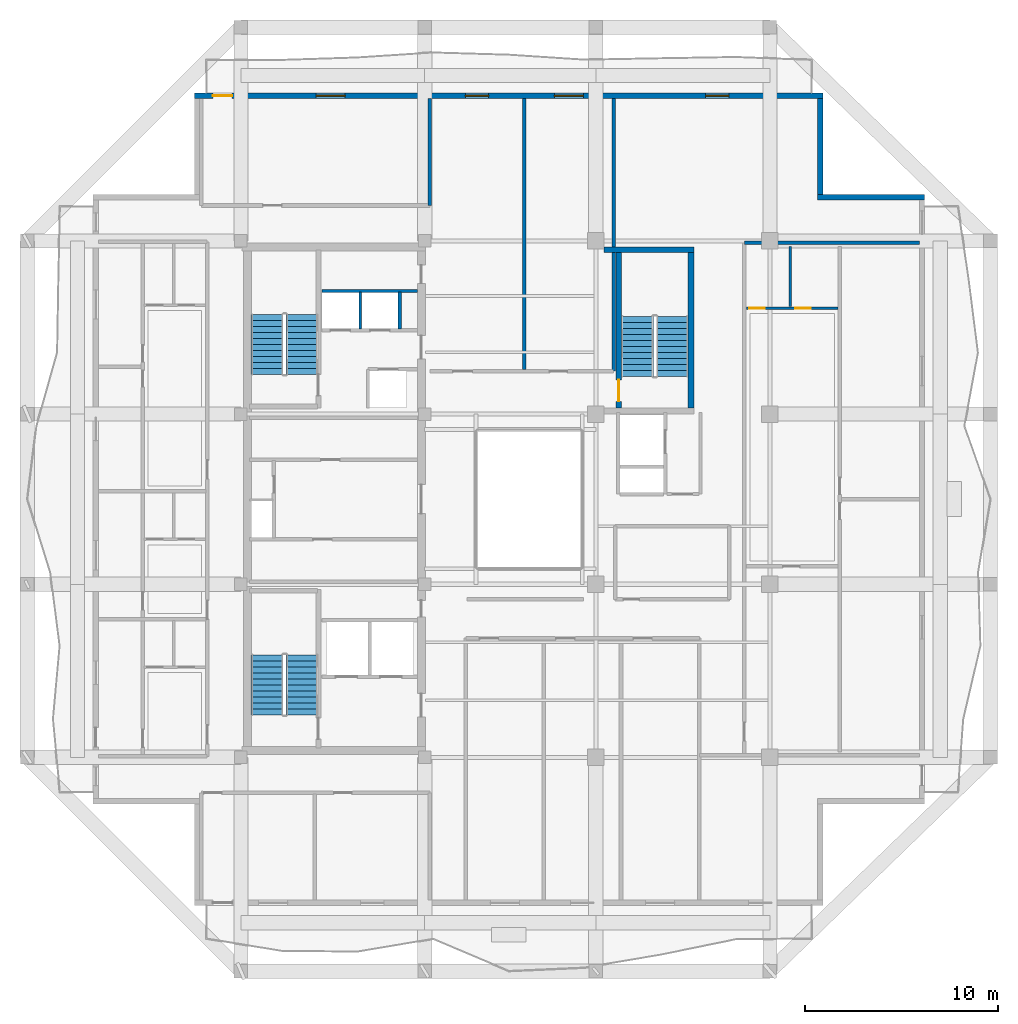
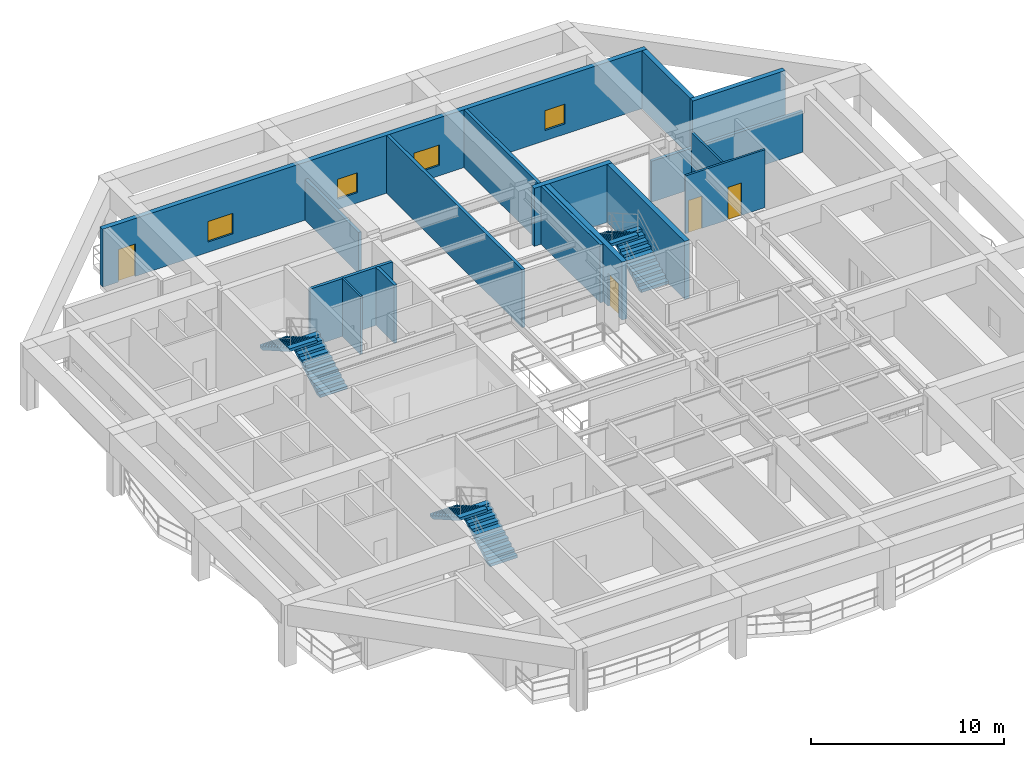
# One storey, part 6 of 11: 15 walls, 6 stair flights, 4 doors, 4 windows, 8 openings, 3 elements without a shape of their own.
"""IFC4 building model written with IfcOpenShell, lengths in metres."""

from ifc_helpers import new_model, si_unit, direction, frame, frame_2d, origin, place, context, subcontext, project, spatial, polyline, rectangle, outline, extrude, material, layer, layer_set, type_object, element, fill, aggregate, save


model = new_model("IFC4")

# Units and contexts
model_context = context("Model", 3, precision=1e-05, world=origin(), true_north=direction((0.0, 1.0)))
body_context = subcontext(model_context, "Body", "Model", "MODEL_VIEW")
ifc_project = project(units=[si_unit("LENGTHUNIT", "METRE"), si_unit("AREAUNIT", "SQUARE_METRE"), si_unit("VOLUMEUNIT", "CUBIC_METRE"), si_unit("PLANEANGLEUNIT", "RADIAN"), si_unit("MASSUNIT", "GRAM", prefix="KILO")], contexts=[model_context])

# Site, building, storey
site_placement = place(None, origin())
site = spatial("IfcSite", under=ifc_project, at=site_placement, CompositionType="ELEMENT")
building_placement = place(site_placement, origin())
building = spatial("IfcBuilding", under=site, at=building_placement, Name="Kundavana Baori Tower", CompositionType="ELEMENT")
storey_placement = place(building_placement, frame((0.0, 0.0, 268.699951171875)))
storey = spatial("IfcBuildingStorey", under=building, at=storey_placement, Name="L66", CompositionType="ELEMENT", Elevation=268.699951171875)

# Walls
ifc_material_1 = material(Name="Red-Buff Dholpur Sandstone Cladding on Concrete C40/50", Category="masonry")
ifc_layer_1 = layer(ifc_material_1, 0.280029296875, Name="WL-EXT-SAND-280")
ifc_layer_set_1 = layer_set([ifc_layer_1], Name="Red-Buff Dholpur Sandstone Cladding on Concrete C40/50")
wall_type_1 = type_object("IfcWallType", Name="WL-EXT-SAND-280", PredefinedType="STANDARD", material=ifc_layer_set_1)
wall_1_placement = place(storey_placement, frame((50.800048828125, 44.2099609375, 0.0), z_axis=(0.0, 0.0, 1.0), x_axis=(-1.0, 0.0, 0.0)))
element("IfcWall", 1, at=wall_1_placement, inside=storey, type_object=wall_type_1, Name="L66 Exterior Insulated Facade Wall 05", PredefinedType="STANDARD", context=body_context, shape_type="SweptSolid", body=[
    extrude(rectangle(XDim=5.530029296875, YDim=0.280029296875, at=frame_2d((2.76513671875, 0.0))), origin(), (0.0, 0.0, 1.0), 3.66015625),
])
wall_2_placement = place(storey_placement, frame((45.409912109375, 44.35009765625, 0.0), z_axis=(0.0, 0.0, 1.0), x_axis=(0.0, 1.0, 0.0)))
element("IfcWall", 2, at=wall_2_placement, inside=storey, type_object=wall_type_1, Name="L66 Exterior Insulated Facade Wall 06", PredefinedType="STANDARD", context=body_context, shape_type="SweptSolid", body=[
    extrude(rectangle(XDim=4.969970703125, YDim=0.280029296875, at=frame_2d((2.48486328125, 0.0))), origin(), (0.0, 0.0, 1.0), 3.66015625),
])

# Wall, openings, door, windows
wall_3_placement = place(storey_placement, frame((45.550048828125, 49.4599609375, 0.0), z_axis=(0.0, 0.0, 1.0), x_axis=(-1.0, 0.0, 0.0)))
wall_3 = element("IfcWall", 3, at=wall_3_placement, inside=storey, type_object=wall_type_1, Name="L66 Exterior Insulated Facade Wall 07", PredefinedType="STANDARD", context=body_context, shape_type="SweptSolid", body=[
    extrude(rectangle(XDim=32.5, YDim=0.280029296875, at=frame_2d((16.25, 0.0))), origin(), (0.0, 0.0, 1.0), 3.66015625),
])
opening_1_placement = place(wall_3_placement, frame((30.550048828125, 0.0, 0.0)))
opening_1 = element("IfcOpeningElement", 4, at=opening_1_placement, cuts=wall_3, Name="Opening BD-1", PredefinedType="OPENING", context=body_context, shape_type="SweptSolid", body=[
    extrude(rectangle(XDim=1.0, YDim=2.050048828125, at=frame_2d((0.5, 1.02490234375))), frame((0.0, 0.14990234375, 0.0), z_axis=(0.0, -1.0, 0.0), x_axis=(1.0, 0.0, 0.0)), (0.0, 0.0, 1.0), 0.300048828125),
])
opening_2_placement = place(wall_3_placement, frame((24.715087890625, 0.0, 0.64990234375)))
opening_2 = element("IfcOpeningElement", 5, at=opening_2_placement, cuts=wall_3, Name="Opening W-11", PredefinedType="OPENING", context=body_context, shape_type="SweptSolid", body=[
    extrude(rectangle(XDim=1.5, YDim=1.300048828125, at=frame_2d((0.75, 0.64990234375))), frame((0.0, 0.14990234375, 0.0), z_axis=(0.0, -1.0, 0.0), x_axis=(1.0, 0.0, 0.0)), (0.0, 0.0, 1.0), 0.300048828125),
])
opening_3_placement = place(wall_3_placement, frame((17.2900390625, 0.0, 0.64990234375)))
opening_3 = element("IfcOpeningElement", 6, at=opening_3_placement, cuts=wall_3, Name="Opening W-12", PredefinedType="OPENING", context=body_context, shape_type="SweptSolid", body=[
    extrude(rectangle(XDim=1.199951171875, YDim=1.25, at=frame_2d((0.60009765625, 0.625))), frame((0.0, 0.14990234375, 0.0), z_axis=(0.0, -1.0, 0.0), x_axis=(1.0, 0.0, 0.0)), (0.0, 0.0, 1.0), 0.300048828125),
])
opening_4_placement = place(wall_3_placement, frame((12.389892578125, 0.0, 0.64990234375)))
opening_4 = element("IfcOpeningElement", 7, at=opening_4_placement, cuts=wall_3, Name="Opening W-11", PredefinedType="OPENING", context=body_context, shape_type="SweptSolid", body=[
    extrude(rectangle(XDim=1.5, YDim=1.300048828125, at=frame_2d((0.75, 0.64990234375))), frame((0.0, 0.14990234375, 0.0), z_axis=(0.0, -1.0, 0.0), x_axis=(1.0, 0.0, 0.0)), (0.0, 0.0, 1.0), 0.300048828125),
])
opening_5_placement = place(wall_3_placement, frame((4.8701171875, 0.0, 0.64990234375)))
opening_5 = element("IfcOpeningElement", 8, at=opening_5_placement, cuts=wall_3, Name="Opening W-12", PredefinedType="OPENING", context=body_context, shape_type="SweptSolid", body=[
    extrude(rectangle(XDim=1.199951171875, YDim=1.25, at=frame_2d((0.60009765625, 0.625))), frame((0.0, 0.14990234375, 0.0), z_axis=(0.0, -1.0, 0.0), x_axis=(1.0, 0.0, 0.0)), (0.0, 0.0, 1.0), 0.300048828125),
])
ifc_material_2 = material(Name="Architectural Patinated Bronze Metalwork")
door_type_1 = type_object("IfcDoorType", Name="DR-EXT-LOG-1000", OperationType="NOTDEFINED", PredefinedType="DOOR", material=ifc_material_2)
door_1_placement = place(opening_1_placement, frame((1.0, 0.0, 0.0), z_axis=(0.0, 0.0, 1.0), x_axis=(-1.0, 0.0, 0.0)))
door_1 = element("IfcDoor", 9, at=door_1_placement, inside=storey, type_object=door_type_1, Name="L66 Loggia Balcony Access Door N", OperationType="SINGLE_SWING_LEFT", OverallHeight=2.050048828125, OverallWidth=1.0, PredefinedType="DOOR", context=body_context, shape_type="SweptSolid", body=[
    extrude(rectangle(XDim=1.0, YDim=2.050048828125, at=frame_2d((0.5, 1.02490234375))), frame((0.0, 0.02490234375, 0.0), z_axis=(0.0, -1.0, 0.0), x_axis=(1.0, 0.0, 0.0)), (0.0, 0.0, 1.0), 0.050048828125),
])
fill(opening_1, door_1)
ifc_material_3 = material(Name="Double-Glazed Solar-Control Low-E Insulated Glass", Category="glass")
window_type_1 = type_object("IfcWindowType", Name="WIN-TRN-1200x1250", PartitioningType="SINGLE_PANEL", PredefinedType="WINDOW", material=ifc_material_3)
window_1_placement = place(opening_3_placement, origin())
window_1 = element("IfcWindow", 10, at=window_1_placement, inside=storey, type_object=window_type_1, Name="L66 Recessed Loggia Window N-2", OverallHeight=1.25, OverallWidth=1.199951171875, PartitioningType="SINGLE_PANEL", PredefinedType="WINDOW", context=body_context, shape_type="SweptSolid", body=[
    extrude(rectangle(XDim=1.199951171875, YDim=1.25, at=frame_2d((0.60009765625, 0.625))), frame((0.0, 0.030029296875, 0.0), z_axis=(0.0, -1.0, 0.0), x_axis=(1.0, 0.0, 0.0)), (0.0, 0.0, 1.0), 0.06005859375),
])
fill(opening_3, window_1)
window_2_placement = place(opening_5_placement, origin())
window_2 = element("IfcWindow", 11, at=window_2_placement, inside=storey, type_object=window_type_1, Name="L66 Recessed Loggia Window N-4", OverallHeight=1.25, OverallWidth=1.199951171875, PartitioningType="SINGLE_PANEL", PredefinedType="WINDOW", context=body_context, shape_type="SweptSolid", body=[
    extrude(rectangle(XDim=1.199951171875, YDim=1.25, at=frame_2d((0.60009765625, 0.625))), frame((0.0, 0.030029296875, 0.0), z_axis=(0.0, -1.0, 0.0), x_axis=(1.0, 0.0, 0.0)), (0.0, 0.0, 1.0), 0.06005859375),
])
fill(opening_5, window_2)
ifc_material_4 = material(Name="Double-Glazed Solar-Control Low-E Insulated Glass", Category="glass")
window_type_2 = type_object("IfcWindowType", Name="WIN-TRN-1500x1300", PartitioningType="SINGLE_PANEL", PredefinedType="WINDOW", material=ifc_material_4)
window_3_placement = place(opening_2_placement, origin())
window_3 = element("IfcWindow", 12, at=window_3_placement, inside=storey, type_object=window_type_2, Name="L66 Recessed Loggia Window N-1", OverallHeight=1.300048828125, OverallWidth=1.5, PartitioningType="SINGLE_PANEL", PredefinedType="WINDOW", context=body_context, shape_type="SweptSolid", body=[
    extrude(rectangle(XDim=1.5, YDim=1.300048828125, at=frame_2d((0.75, 0.64990234375))), frame((0.0, 0.030029296875, 0.0), z_axis=(0.0, -1.0, 0.0), x_axis=(1.0, 0.0, 0.0)), (0.0, 0.0, 1.0), 0.06005859375),
])
fill(opening_2, window_3)
window_4_placement = place(opening_4_placement, origin())
window_4 = element("IfcWindow", 13, at=window_4_placement, inside=storey, type_object=window_type_2, Name="L66 Recessed Loggia Window N-3", OverallHeight=1.300048828125, OverallWidth=1.5, PartitioningType="SINGLE_PANEL", PredefinedType="WINDOW", context=body_context, shape_type="SweptSolid", body=[
    extrude(rectangle(XDim=1.5, YDim=1.300048828125, at=frame_2d((0.75, 0.64990234375))), frame((0.0, 0.030029296875, 0.0), z_axis=(0.0, -1.0, 0.0), x_axis=(1.0, 0.0, 0.0)), (0.0, 0.0, 1.0), 0.06005859375),
])
fill(opening_4, window_4)

# Walls
ifc_material_5 = material(Name="Acoustic Gypsum Plasterboard on Galvanised Steel Studs", Category="steel")
ifc_layer_2 = layer(ifc_material_5, 0.1201171875, Name="WL-PART-120")
ifc_layer_set_2 = layer_set([ifc_layer_2], Name="Acoustic Gypsum Plasterboard on Galvanised Steel Studs")
wall_type_2 = type_object("IfcWallType", Name="WL-PART-120", PredefinedType="PARTITIONING", material=ifc_layer_set_2)
wall_4_placement = place(storey_placement, frame((21.6201171875, 37.39990234375, 0.0), z_axis=(0.0, 0.0, 1.0), x_axis=(0.0, 1.0, 0.0)))
element("IfcWall", 14, at=wall_4_placement, inside=storey, type_object=wall_type_2, Name="WL-L66-HR-DIV1", PredefinedType="PARTITIONING", context=body_context, shape_type="SweptSolid", body=[
    extrude(rectangle(XDim=1.900146484375, YDim=0.1201171875, at=frame_2d((0.9501953125, 0.0))), origin(), (0.0, 0.0, 1.0), 3.66015625),
])
ifc_material_6 = material(Name="Autoclaved Aerated Concrete Blockwork Masonry", Category="masonry")
ifc_layer_3 = layer(ifc_material_6, 0.18505859375, Name="WL-PART-180")
ifc_layer_set_3 = layer_set([ifc_layer_3], Name="Autoclaved Aerated Concrete Blockwork Masonry")
wall_type_3 = type_object("IfcWallType", Name="WL-PART-180", PredefinedType="SOLIDWALL", material=ifc_layer_set_3)
wall_5_placement = place(storey_placement, frame((25.219970703125, 43.780029296875, 0.0), z_axis=(0.0, 0.0, 1.0), x_axis=(0.0, 1.0, 0.0)))
element("IfcWall", 15, at=wall_5_placement, inside=storey, type_object=wall_type_3, Name="WL-L66-RNCE", PredefinedType="SOLIDWALL", context=body_context, shape_type="SweptSolid", body=[
    extrude(rectangle(XDim=5.5400390625, YDim=0.18505859375, at=frame_2d((2.77001953125, 0.0))), origin(), (0.0, 0.0, 1.0), 2.580078125),
])
wall_6_placement = place(storey_placement, frame((34.719970703125, 35.219970703125, 0.0), z_axis=(0.0, 0.0, 1.0), x_axis=(0.0, 1.0, 0.0)))
element("IfcWall", 16, at=wall_6_placement, inside=storey, type_object=wall_type_3, Name="WL-L66-RNEND", PredefinedType="SOLIDWALL", context=body_context, shape_type="SweptSolid", body=[
    extrude(rectangle(XDim=14.10009765625, YDim=0.18505859375, at=frame_2d((7.050048828125, 0.0))), origin(), (0.0, 0.0, 1.0), 3.66015625),
])
wall_7_placement = place(storey_placement, frame((30.10009765625, 35.300048828125, 0.0), z_axis=(0.0, 0.0, 1.0), x_axis=(0.0, 1.0, 0.0)))
element("IfcWall", 17, at=wall_7_placement, inside=storey, type_object=wall_type_3, Name="WL-L66-RND1", PredefinedType="SOLIDWALL", context=body_context, shape_type="SweptSolid", body=[
    extrude(rectangle(XDim=14.02001953125, YDim=0.18505859375, at=frame_2d((7.010009765625, 0.0))), origin(), (0.0, 0.0, 1.0), 3.66015625),
])
wall_8_placement = place(storey_placement, frame((41.47998046875, 41.85009765625, 0.0), z_axis=(0.0, 0.0, 1.0), x_axis=(1.0, 0.0, 0.0)))
element("IfcWall", 18, at=wall_8_placement, inside=storey, type_object=wall_type_3, Name="WL-L66-REN", PredefinedType="SOLIDWALL", context=body_context, shape_type="SweptSolid", body=[
    extrude(rectangle(XDim=9.0400390625, YDim=0.18505859375, at=frame_2d((4.52001953125, 0.0))), origin(), (0.0, 0.0, 1.0), 2.580078125),
])
ifc_material_7 = material(Name="Autoclaved Aerated Concrete Blockwork Masonry", Category="masonry")
ifc_layer_4 = layer(ifc_material_7, 0.179931640625, Name="WL-SHAFT-180")
ifc_layer_set_4 = layer_set([ifc_layer_4], Name="Autoclaved Aerated Concrete Blockwork Masonry")
wall_type_4 = type_object("IfcWallType", Name="WL-SHAFT-180", PredefinedType="SOLIDWALL", material=ifc_layer_set_4)
wall_9_placement = place(storey_placement, frame((19.639892578125, 39.360107421875, 0.0), z_axis=(0.0, 0.0, 1.0), x_axis=(1.0, 0.0, 0.0)))
element("IfcWall", 19, at=wall_9_placement, inside=storey, type_object=wall_type_4, Name="WL-L66-HRLOB-TOP", PredefinedType="SOLIDWALL", context=body_context, shape_type="SweptSolid", body=[
    extrude(rectangle(XDim=4.940185546875, YDim=0.179931640625, at=frame_2d((2.47021484375, 0.0))), origin(), (0.0, 0.0, 1.0), 3.66015625),
])
wall_10_placement = place(storey_placement, frame((23.659912109375, 37.39990234375, 0.0), z_axis=(0.0, 0.0, 1.0), x_axis=(0.0, 1.0, 0.0)))
element("IfcWall", 20, at=wall_10_placement, inside=storey, type_object=wall_type_4, Name="WL-L66-HR-DIV2", PredefinedType="SOLIDWALL", context=body_context, shape_type="SweptSolid", body=[
    extrude(rectangle(XDim=1.900146484375, YDim=0.179931640625, at=frame_2d((0.9501953125, 0.0))), origin(), (0.0, 0.0, 1.0), 3.66015625),
])
ifc_material_8 = material(Name="Concrete C50/60", Category="concrete")
ifc_layer_5 = layer(ifc_material_8, 0.300048828125, Name="WL-ST3-300")
ifc_layer_set_5 = layer_set([ifc_layer_5], Name="Concrete C50/60")
wall_type_5 = type_object("IfcWallType", Name="WL-ST3-300", PredefinedType="SHEAR", material=ifc_layer_set_5)
wall_11_placement = place(storey_placement, frame((34.22509765625, 41.489990234375, 0.0), z_axis=(0.0, 0.0, 1.0), x_axis=(1.0, 0.0, 0.0)))
element("IfcWall", 21, at=wall_11_placement, inside=storey, type_object=wall_type_5, Name="L66 Stair ST3 North Shear Wall", PredefinedType="SHEAR", context=body_context, shape_type="SweptSolid", body=[
    extrude(rectangle(XDim=4.64501953125, YDim=0.300048828125, at=frame_2d((2.322509765625, 0.0))), origin(), (0.0, 0.0, 1.0), 3.66015625),
])

# Wall, opening, door
wall_12_placement = place(storey_placement, frame((34.97998046875, 33.31005859375, 0.0), z_axis=(0.0, 0.0, 1.0), x_axis=(0.0, 1.0, 0.0)))
wall_12 = element("IfcWall", 22, at=wall_12_placement, inside=storey, type_object=wall_type_5, Name="L66 Stair ST3 West Shear Wall", PredefinedType="SHEAR", context=body_context, shape_type="SweptSolid", body=[
    extrude(rectangle(XDim=8.030029296875, YDim=0.300048828125, at=frame_2d((4.01513671875, 0.0))), origin(), (0.0, 0.0, 1.0), 3.66015625),
])
opening_6_placement = place(wall_12_placement, frame((0.35009765625, 0.0, 0.0)))
opening_6 = element("IfcOpeningElement", 23, at=opening_6_placement, cuts=wall_12, Name="Opening FD-110", PredefinedType="OPENING", context=body_context, shape_type="SweptSolid", body=[
    extrude(rectangle(XDim=1.10009765625, YDim=2.10009765625, at=frame_2d((0.550048828125, 1.050048828125))), frame((0.0, 0.16015625, 0.0), z_axis=(0.0, -1.0, 0.0), x_axis=(1.0, 0.0, 0.0)), (0.0, 0.0, 1.0), 0.320068359375),
])
ifc_material_9 = material(Name="Galvanised Steel Fire-Rated Door Leaf", Category="steel")
door_type_2 = type_object("IfcDoorType", Name="DR-FD120-1100", OperationType="NOTDEFINED", PredefinedType="DOOR", material=ifc_material_9)
door_2_placement = place(opening_6_placement, origin())
door_2 = element("IfcDoor", 24, at=door_2_placement, inside=storey, type_object=door_type_2, Name="DR-L66-ST3-W", OperationType="SINGLE_SWING_LEFT", OverallHeight=2.10009765625, OverallWidth=1.10009765625, PredefinedType="DOOR", context=body_context, shape_type="SweptSolid", body=[
    extrude(rectangle(XDim=1.10009765625, YDim=2.10009765625, at=frame_2d((0.550048828125, 1.050048828125))), frame((0.0, 0.02490234375, 0.0), z_axis=(0.0, -1.0, 0.0), x_axis=(1.0, 0.0, 0.0)), (0.0, 0.0, 1.0), 0.050048828125),
])
fill(opening_6, door_2)

# Wall
wall_13_placement = place(storey_placement, frame((38.719970703125, 33.31005859375, 0.0), z_axis=(0.0, 0.0, 1.0), x_axis=(0.0, 1.0, 0.0)))
element("IfcWall", 25, at=wall_13_placement, inside=storey, type_object=wall_type_5, Name="L66 Stair ST3 East Shear Wall", PredefinedType="SHEAR", context=body_context, shape_type="SweptSolid", body=[
    extrude(rectangle(XDim=8.030029296875, YDim=0.300048828125, at=frame_2d((4.01513671875, 0.0))), origin(), (0.0, 0.0, 1.0), 3.66015625),
])

# Wall, openings, doors
ifc_material_10 = material(Name="Autoclaved Aerated Concrete Blockwork Masonry", Category="masonry")
ifc_layer_6 = layer(ifc_material_10, 0.125, Name="WL-WET-120")
ifc_layer_set_6 = layer_set([ifc_layer_6], Name="Autoclaved Aerated Concrete Blockwork Masonry")
wall_type_6 = type_object("IfcWallType", Name="WL-WET-120", PredefinedType="PLUMBINGWALL", material=ifc_layer_set_6)
wall_14_placement = place(storey_placement, frame((41.580078125, 38.469970703125, 0.0), z_axis=(0.0, 0.0, 1.0), x_axis=(1.0, 0.0, 0.0)))
wall_14 = element("IfcWall", 26, at=wall_14_placement, inside=storey, type_object=wall_type_6, Name="WL-L66-E1-KH", PredefinedType="PLUMBINGWALL", context=body_context, shape_type="SweptSolid", body=[
    extrude(rectangle(XDim=4.747802734375, YDim=0.125, at=frame_2d((2.3740234375, 0.0))), origin(), (0.0, 0.0, 1.0), 3.66015625),
])
opening_7_placement = place(wall_14_placement, frame((0.159912109375, 0.0, 0.0)))
opening_7 = element("IfcOpeningElement", 27, at=opening_7_placement, cuts=wall_14, Name="Opening WD-080", PredefinedType="OPENING", context=body_context, shape_type="SweptSolid", body=[
    extrude(rectangle(XDim=0.800048828125, YDim=2.050048828125, at=frame_2d((0.39990234375, 1.02490234375))), frame((0.0, 0.072509765625, 0.0), z_axis=(0.0, -1.0, 0.0), x_axis=(1.0, 0.0, 0.0)), (0.0, 0.0, 1.0), 0.14501953125),
])
opening_8_placement = place(wall_14_placement, frame((2.5390625, 0.0, 0.0)))
opening_8 = element("IfcOpeningElement", 28, at=opening_8_placement, cuts=wall_14, Name="Opening WD-080", PredefinedType="OPENING", context=body_context, shape_type="SweptSolid", body=[
    extrude(rectangle(XDim=0.800048828125, YDim=2.050048828125, at=frame_2d((0.39990234375, 1.02490234375))), frame((0.0, 0.072509765625, 0.0), z_axis=(0.0, -1.0, 0.0), x_axis=(1.0, 0.0, 0.0)), (0.0, 0.0, 1.0), 0.14501953125),
])
ifc_material_11 = material(Name="Engineered Teak Solid-Core Timber Veneer", Category="wood")
door_type_3 = type_object("IfcDoorType", Name="DR-WET-800", OperationType="NOTDEFINED", PredefinedType="DOOR", material=ifc_material_11)
door_3_placement = place(opening_7_placement, origin())
door_3 = element("IfcDoor", 29, at=door_3_placement, inside=storey, type_object=door_type_3, Name="DR-L66-E1-BT", OperationType="SINGLE_SWING_LEFT", OverallHeight=2.050048828125, OverallWidth=0.800048828125, PredefinedType="DOOR", context=body_context, shape_type="SweptSolid", body=[
    extrude(rectangle(XDim=0.800048828125, YDim=2.050048828125, at=frame_2d((0.39990234375, 1.02490234375))), frame((0.0, 0.02490234375, 0.0), z_axis=(0.0, -1.0, 0.0), x_axis=(1.0, 0.0, 0.0)), (0.0, 0.0, 1.0), 0.050048828125),
])
fill(opening_7, door_3)
door_4_placement = place(opening_8_placement, origin())
door_4 = element("IfcDoor", 30, at=door_4_placement, inside=storey, type_object=door_type_3, Name="DR-L66-E1-KT", OperationType="SINGLE_SWING_RIGHT", OverallHeight=2.050048828125, OverallWidth=0.800048828125, PredefinedType="DOOR", context=body_context, shape_type="SweptSolid", body=[
    extrude(rectangle(XDim=0.800048828125, YDim=2.050048828125, at=frame_2d((0.39990234375, 1.02490234375))), frame((0.0, 0.02490234375, 0.0), z_axis=(0.0, -1.0, 0.0), x_axis=(1.0, 0.0, 0.0)), (0.0, 0.0, 1.0), 0.050048828125),
])
fill(opening_8, door_4)

# Wall
wall_15_placement = place(storey_placement, frame((43.85888671875, 38.550048828125, 0.0), z_axis=(0.0, 0.0, 1.0), x_axis=(0.0, 1.0, 0.0)))
element("IfcWall", 31, at=wall_15_placement, inside=storey, type_object=wall_type_6, Name="WL-L66-E1-BV", PredefinedType="PLUMBINGWALL", context=body_context, shape_type="SweptSolid", body=[
    extrude(rectangle(XDim=3.119873046875, YDim=0.125, at=frame_2d((1.56005859375, 0.0))), origin(), (0.0, 0.0, 1.0), 3.66015625),
])

# Stair, stair flights
ifc_material_12 = material(Name="Concrete C40/50", Category="concrete")
stair_type = type_object("IfcStairType", Name="STR-DOG-1650", PredefinedType="HALF_TURN_STAIR", material=ifc_material_12)
stair_1_placement = place(storey_placement, origin())
stair_1 = element("IfcStair", 32, at=stair_1_placement, inside=storey, type_object=stair_type, Name="L66 Protected Exit Stair ST1", PredefinedType="HALF_TURN_STAIR")
ifc_material_13 = material(Name="Concrete C40/50", Category="concrete")
stair_flight_type = type_object("IfcStairFlightType", Name="SFL-RC-1650", PredefinedType="STRAIGHT", material=ifc_material_13)
stair_flight_1_placement = place(storey_placement, frame((18.614990234375, 17.449951171875, 0.0), z_axis=(0.0, 0.0, 1.0), x_axis=(0.0, 1.0, 0.0)))
stair_flight_1 = element("IfcStairFlight", 33, at=stair_flight_1_placement, type_object=stair_flight_type, Name="ST1 flight 1", NumberOfRisers=11, NumberOfTreads=10, PredefinedType="STRAIGHT", RiserHeight=0.177272727, TreadLength=0.31, context=body_context, shape_type="SweptSolid", body=[
    extrude(outline(polyline([(0.0, 0.0), (0.0, 0.17724609375), (0.31005859375, 0.17724609375), (0.31005859375, 0.3544921875), (0.6201171875, 0.3544921875), (0.6201171875, 0.53173828125), (0.929931640625, 0.53173828125), (0.929931640625, 0.708984375), (1.239990234375, 0.708984375), (1.239990234375, 0.886474609375), (1.550048828125, 0.886474609375), (1.550048828125, 1.063720703125), (1.860107421875, 1.063720703125), (1.860107421875, 1.240966796875), (2.169921875, 1.240966796875), (2.169921875, 1.418212890625), (2.47998046875, 1.418212890625), (2.47998046875, 1.595458984375), (2.7900390625, 1.595458984375), (2.7900390625, 1.772705078125), (3.10009765625, 1.772705078125), (3.10009765625, 1.949951171875), (3.10009765625, 1.60009765625), (0.302001953125, 0.0), (0.0, 0.0)])), frame((0.0, 0.824951171875, 0.0), z_axis=(0.0, -1.0, 0.0), x_axis=(1.0, 0.0, 0.0)), (0.0, 0.0, 1.0), 1.64990234375),
])
stair_flight_2_placement = place(storey_placement, frame((16.804931640625, 20.550048828125, 1.949951171875), z_axis=(0.0, 0.0, 1.0), x_axis=(0.0, -1.0, 0.0)))
stair_flight_2 = element("IfcStairFlight", 34, at=stair_flight_2_placement, type_object=stair_flight_type, Name="ST1 flight 2", NumberOfRisers=11, NumberOfTreads=10, PredefinedType="STRAIGHT", RiserHeight=0.177272727, TreadLength=0.31, context=body_context, shape_type="SweptSolid", body=[
    extrude(outline(polyline([(0.0, 0.0), (0.0, 0.17724609375), (0.31005859375, 0.17724609375), (0.31005859375, 0.3544921875), (0.6201171875, 0.3544921875), (0.6201171875, 0.53173828125), (0.929931640625, 0.53173828125), (0.929931640625, 0.708984375), (1.239990234375, 0.708984375), (1.239990234375, 0.886474609375), (1.550048828125, 0.886474609375), (1.550048828125, 1.063720703125), (1.860107421875, 1.063720703125), (1.860107421875, 1.240966796875), (2.169921875, 1.240966796875), (2.169921875, 1.418212890625), (2.47998046875, 1.418212890625), (2.47998046875, 1.595458984375), (2.7900390625, 1.595458984375), (2.7900390625, 1.772705078125), (3.10009765625, 1.772705078125), (3.10009765625, 1.949951171875), (3.10009765625, 1.60009765625), (0.302001953125, 0.0), (0.0, 0.0)])), frame((0.0, 0.824951171875, 0.0), z_axis=(0.0, -1.0, 0.0), x_axis=(1.0, 0.0, 0.0)), (0.0, 0.0, 1.0), 1.64990234375),
])
aggregate(stair_1, [stair_flight_1, stair_flight_2])

stair_2_placement = place(storey_placement, origin())
stair_2 = element("IfcStair", 35, at=stair_2_placement, inside=storey, type_object=stair_type, Name="L66 Protected Exit Stair ST2", PredefinedType="HALF_TURN_STAIR")
stair_flight_3_placement = place(storey_placement, frame((18.614990234375, 35.050048828125, 0.0), z_axis=(0.0, 0.0, 1.0), x_axis=(0.0, 1.0, 0.0)))
stair_flight_3 = element("IfcStairFlight", 36, at=stair_flight_3_placement, type_object=stair_flight_type, Name="ST2 flight 1", NumberOfRisers=11, NumberOfTreads=10, PredefinedType="STRAIGHT", RiserHeight=0.177272727, TreadLength=0.31, context=body_context, shape_type="SweptSolid", body=[
    extrude(outline(polyline([(0.0, 0.0), (0.0, 0.17724609375), (0.31005859375, 0.17724609375), (0.31005859375, 0.3544921875), (0.6201171875, 0.3544921875), (0.6201171875, 0.53173828125), (0.929931640625, 0.53173828125), (0.929931640625, 0.708984375), (1.239990234375, 0.708984375), (1.239990234375, 0.886474609375), (1.550048828125, 0.886474609375), (1.550048828125, 1.063720703125), (1.860107421875, 1.063720703125), (1.860107421875, 1.240966796875), (2.169921875, 1.240966796875), (2.169921875, 1.418212890625), (2.47998046875, 1.418212890625), (2.47998046875, 1.595458984375), (2.7900390625, 1.595458984375), (2.7900390625, 1.772705078125), (3.10009765625, 1.772705078125), (3.10009765625, 1.949951171875), (3.10009765625, 1.60009765625), (0.302001953125, 0.0), (0.0, 0.0)])), frame((0.0, 0.824951171875, 0.0), z_axis=(0.0, -1.0, 0.0), x_axis=(1.0, 0.0, 0.0)), (0.0, 0.0, 1.0), 1.64990234375),
])
stair_flight_4_placement = place(storey_placement, frame((16.804931640625, 38.14990234375, 1.949951171875), z_axis=(0.0, 0.0, 1.0), x_axis=(0.0, -1.0, 0.0)))
stair_flight_4 = element("IfcStairFlight", 37, at=stair_flight_4_placement, type_object=stair_flight_type, Name="ST2 flight 2", NumberOfRisers=11, NumberOfTreads=10, PredefinedType="STRAIGHT", RiserHeight=0.177272727, TreadLength=0.31, context=body_context, shape_type="SweptSolid", body=[
    extrude(outline(polyline([(0.0, 0.0), (0.0, 0.17724609375), (0.31005859375, 0.17724609375), (0.31005859375, 0.3544921875), (0.6201171875, 0.3544921875), (0.6201171875, 0.53173828125), (0.929931640625, 0.53173828125), (0.929931640625, 0.708984375), (1.239990234375, 0.708984375), (1.239990234375, 0.886474609375), (1.550048828125, 0.886474609375), (1.550048828125, 1.063720703125), (1.860107421875, 1.063720703125), (1.860107421875, 1.240966796875), (2.169921875, 1.240966796875), (2.169921875, 1.418212890625), (2.47998046875, 1.418212890625), (2.47998046875, 1.595458984375), (2.7900390625, 1.595458984375), (2.7900390625, 1.772705078125), (3.10009765625, 1.772705078125), (3.10009765625, 1.949951171875), (3.10009765625, 1.60009765625), (0.302001953125, 0.0), (0.0, 0.0)])), frame((0.0, 0.824951171875, 0.0), z_axis=(0.0, -1.0, 0.0), x_axis=(1.0, 0.0, 0.0)), (0.0, 0.0, 1.0), 1.64990234375),
])
aggregate(stair_2, [stair_flight_3, stair_flight_4])

stair_3_placement = place(storey_placement, origin())
stair_3 = element("IfcStair", 38, at=stair_3_placement, inside=storey, type_object=stair_type, Name="L66 Protected Exit Stair ST3", PredefinedType="HALF_TURN_STAIR")
stair_flight_5_placement = place(storey_placement, frame((37.7548828125, 34.949951171875, 0.0), z_axis=(0.0, 0.0, 1.0), x_axis=(0.0, 1.0, 0.0)))
stair_flight_5 = element("IfcStairFlight", 39, at=stair_flight_5_placement, type_object=stair_flight_type, Name="ST3 flight 1", NumberOfRisers=11, NumberOfTreads=10, PredefinedType="STRAIGHT", RiserHeight=0.177272727, TreadLength=0.31, context=body_context, shape_type="SweptSolid", body=[
    extrude(outline(polyline([(0.0, 0.0), (0.0, 0.17724609375), (0.31005859375, 0.17724609375), (0.31005859375, 0.3544921875), (0.6201171875, 0.3544921875), (0.6201171875, 0.53173828125), (0.929931640625, 0.53173828125), (0.929931640625, 0.708984375), (1.239990234375, 0.708984375), (1.239990234375, 0.886474609375), (1.550048828125, 0.886474609375), (1.550048828125, 1.063720703125), (1.860107421875, 1.063720703125), (1.860107421875, 1.240966796875), (2.169921875, 1.240966796875), (2.169921875, 1.418212890625), (2.47998046875, 1.418212890625), (2.47998046875, 1.595458984375), (2.7900390625, 1.595458984375), (2.7900390625, 1.772705078125), (3.10009765625, 1.772705078125), (3.10009765625, 1.949951171875), (3.10009765625, 1.60009765625), (0.302001953125, 0.0), (0.0, 0.0)])), frame((0.0, 0.824951171875, 0.0), z_axis=(0.0, -1.0, 0.0), x_axis=(1.0, 0.0, 0.0)), (0.0, 0.0, 1.0), 1.64990234375),
])
stair_flight_6_placement = place(storey_placement, frame((35.945068359375, 38.050048828125, 1.949951171875), z_axis=(0.0, 0.0, 1.0), x_axis=(0.0, -1.0, 0.0)))
stair_flight_6 = element("IfcStairFlight", 40, at=stair_flight_6_placement, type_object=stair_flight_type, Name="ST3 flight 2", NumberOfRisers=11, NumberOfTreads=10, PredefinedType="STRAIGHT", RiserHeight=0.177272727, TreadLength=0.31, context=body_context, shape_type="SweptSolid", body=[
    extrude(outline(polyline([(0.0, 0.0), (0.0, 0.17724609375), (0.31005859375, 0.17724609375), (0.31005859375, 0.3544921875), (0.6201171875, 0.3544921875), (0.6201171875, 0.53173828125), (0.929931640625, 0.53173828125), (0.929931640625, 0.708984375), (1.239990234375, 0.708984375), (1.239990234375, 0.886474609375), (1.550048828125, 0.886474609375), (1.550048828125, 1.063720703125), (1.860107421875, 1.063720703125), (1.860107421875, 1.240966796875), (2.169921875, 1.240966796875), (2.169921875, 1.418212890625), (2.47998046875, 1.418212890625), (2.47998046875, 1.595458984375), (2.7900390625, 1.595458984375), (2.7900390625, 1.772705078125), (3.10009765625, 1.772705078125), (3.10009765625, 1.949951171875), (3.10009765625, 1.60009765625), (0.302001953125, 0.0), (0.0, 0.0)])), frame((0.0, 0.824951171875, 0.0), z_axis=(0.0, -1.0, 0.0), x_axis=(1.0, 0.0, 0.0)), (0.0, 0.0, 1.0), 1.64990234375),
])
aggregate(stair_3, [stair_flight_5, stair_flight_6])

save(model, "model.ifc")
